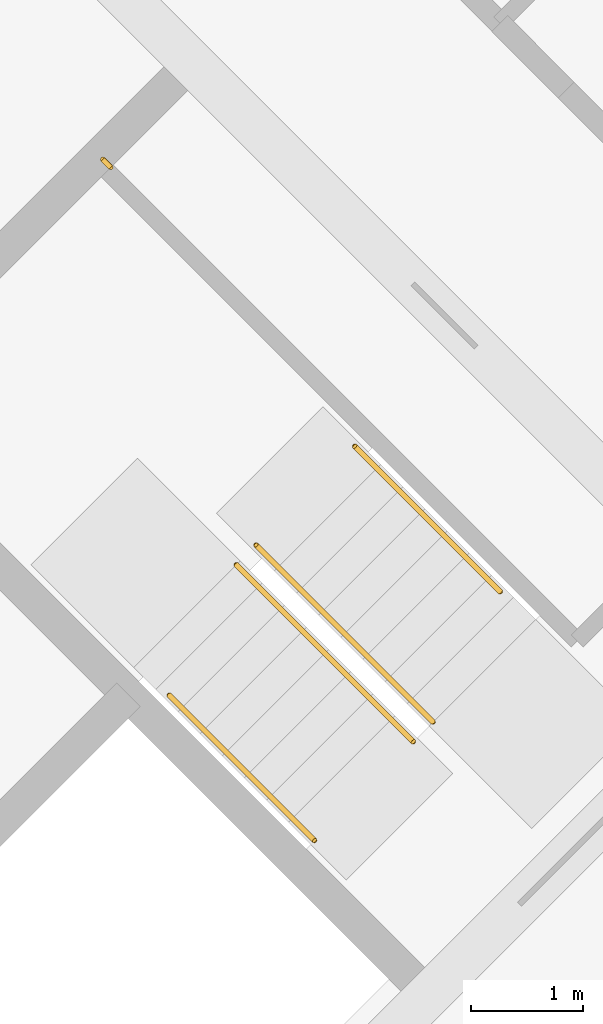
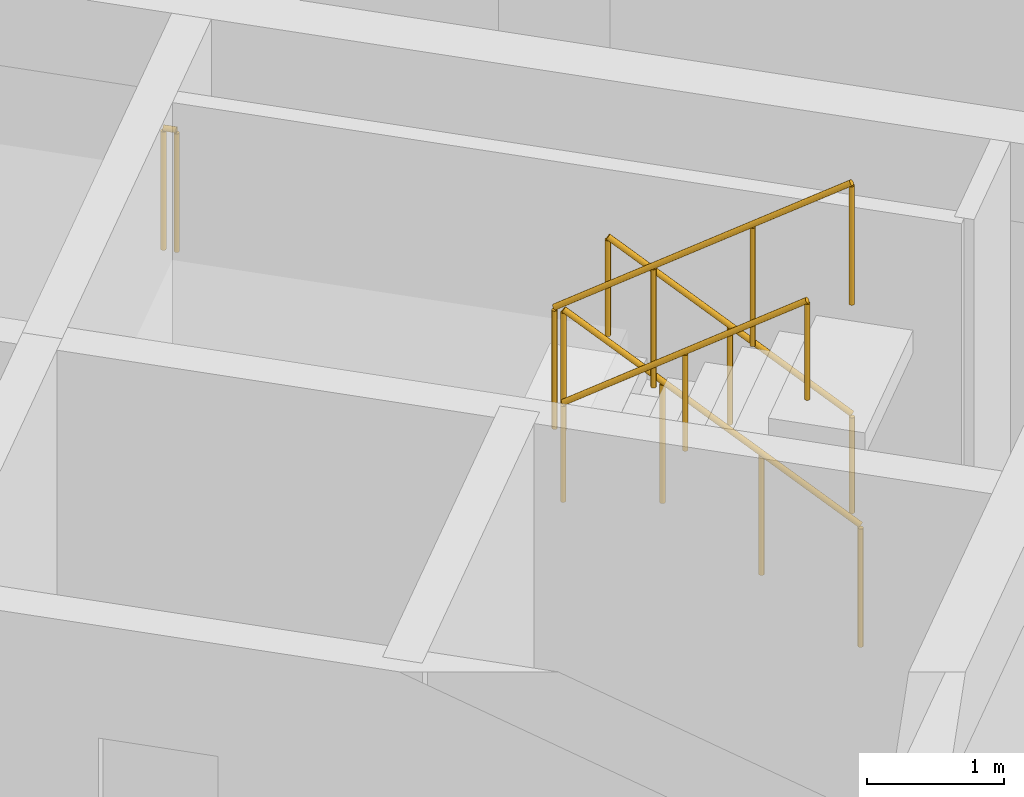
# One storey, part 11 of 11: 5 railings.
"""IFC4 building model written with IfcOpenShell, lengths in metres."""

from ifc_helpers import new_model, si_unit, direction, frame, origin, origin_2d, place, context, subcontext, project, spatial, circle, extrude, material, type_object, element, save


model = new_model("IFC4")

# Units and contexts
model_context = context("Model", 3, precision=1e-05, world=origin(), true_north=direction((0.0, 1.0)))
body_context = subcontext(model_context, "Body", "Model", "MODEL_VIEW")
ifc_project = project(units=[si_unit("LENGTHUNIT", "METRE"), si_unit("AREAUNIT", "SQUARE_METRE"), si_unit("VOLUMEUNIT", "CUBIC_METRE"), si_unit("PLANEANGLEUNIT", "RADIAN"), si_unit("MASSUNIT", "GRAM", prefix="KILO")], contexts=[model_context])

# Site, building, storey
site_placement = place(None, origin())
site = spatial("IfcSite", under=ifc_project, at=site_placement, CompositionType="ELEMENT")
building_placement = place(site_placement, origin())
building = spatial("IfcBuilding", under=site, at=building_placement, Name="Windrow Commons", CompositionType="ELEMENT")
storey_placement = place(building_placement, frame((0.0, 0.0, 271.0)))
storey = spatial("IfcBuildingStorey", under=building, at=storey_placement, Name="L74", CompositionType="ELEMENT", Elevation=271.0)

# Railings
ifc_material_1 = material(Name="Steel S355", Category="steel")
railing_type_1 = type_object("IfcRailingType", Name="Core stair guard 1100", PredefinedType="GUARDRAIL", material=ifc_material_1)
railing_1_placement = place(storey_placement, frame((94.2296, 48.4215, 0.1889)))
element("IfcRailing", 1, at=railing_1_placement, inside=storey, type_object=railing_type_1, Name="L74 ST-B2 stair guard 1", PredefinedType="GUARDRAIL", context=body_context, shape_type="SweptSolid", body=[
    extrude(circle(Radius=0.024, at=origin_2d()), frame((0.0, 0.0, 1.076), z_axis=(-0.5862157828, 0.5861787742, 0.5592365337), x_axis=(-0.7070844598, -0.7071291018, 0.0)), (0.0, 0.0, 1.0), 2.7021),
    extrude(circle(Radius=0.021, at=origin_2d()), origin(), (0.0, 0.0, 1.0), 1.052),
    extrude(circle(Radius=0.021, at=origin_2d()), frame((-0.528, 0.528, 0.5037)), (0.0, 0.0, 1.0), 1.052),
    extrude(circle(Radius=0.021, at=origin_2d()), frame((-1.056, 1.0559, 1.0074)), (0.0, 0.0, 1.0), 1.052),
    extrude(circle(Radius=0.021, at=origin_2d()), frame((-1.584, 1.5839, 1.5111)), (0.0, 0.0, 1.0), 1.052),
])
railing_2_placement = place(storey_placement, frame((92.4689, 49.8287, 1.8889)))
element("IfcRailing", 2, at=railing_2_placement, inside=storey, type_object=railing_type_1, Name="L74 ST-B2 stair guard 2", PredefinedType="GUARDRAIL", context=body_context, shape_type="SweptSolid", body=[
    extrude(circle(Radius=0.024, at=origin_2d()), frame((0.0, 0.0, 1.076), z_axis=(0.5861787742, -0.5862157828, 0.5592365337), x_axis=(0.7071291018, 0.7070844598, 0.0)), (0.0, 0.0, 1.0), 2.7021),
    extrude(circle(Radius=0.021, at=origin_2d()), origin(), (0.0, 0.0, 1.0), 1.052),
    extrude(circle(Radius=0.021, at=origin_2d()), frame((0.528, -0.528, 0.5037)), (0.0, 0.0, 1.0), 1.052),
    extrude(circle(Radius=0.021, at=origin_2d()), frame((1.0559, -1.056, 1.0074)), (0.0, 0.0, 1.0), 1.052),
    extrude(circle(Radius=0.021, at=origin_2d()), frame((1.5839, -1.584, 1.5111)), (0.0, 0.0, 1.0), 1.052),
])
railing_3_placement = place(storey_placement, frame((91.3446, 53.3854, 1.7)))
element("IfcRailing", 3, at=railing_3_placement, inside=storey, type_object=railing_type_1, Name="L74 ST-B2 stair guard 3", PredefinedType="GUARDRAIL", context=body_context, shape_type="SweptSolid", body=[
    extrude(circle(Radius=0.024, at=origin_2d()), frame((0.0, 0.0, 1.076), z_axis=(-0.7076063266, 0.7066068826, 0.0), x_axis=(-0.7066068826, -0.7076063266, 0.0)), (0.0, 0.0, 1.0), 0.1001),
    extrude(circle(Radius=0.021, at=origin_2d()), origin(), (0.0, 0.0, 1.0), 1.052),
    extrude(circle(Radius=0.021, at=origin_2d()), frame((-0.0708, 0.0707, 0.0)), (0.0, 0.0, 1.0), 1.052),
])
ifc_material_2 = material(Name="Steel S355", Category="steel")
railing_type_2 = type_object("IfcRailingType", Name="Core stair handrail 900", PredefinedType="HANDRAIL", material=ifc_material_2)
railing_4_placement = place(storey_placement, frame((94.8306, 49.5883, 0.4587)))
element("IfcRailing", 4, at=railing_4_placement, inside=storey, type_object=railing_type_2, Name="L74 ST-B2 stair handrail 1", PredefinedType="HANDRAIL", context=body_context, shape_type="SweptSolid", body=[
    extrude(circle(Radius=0.024, at=origin_2d()), frame((0.0, 0.0, 0.876), z_axis=(-0.586206706, 0.5861616513, 0.5592639952), x_axis=(-0.7070796062, -0.7071339551, 0.0)), (0.0, 0.0, 1.0), 2.2195),
    extrude(circle(Radius=0.021, at=origin_2d()), origin(), (0.0, 0.0, 1.0), 0.852),
    extrude(circle(Radius=0.021, at=origin_2d()), frame((-0.6506, 0.6505, 0.6206)), (0.0, 0.0, 1.0), 0.852),
    extrude(circle(Radius=0.021, at=origin_2d()), frame((-1.3011, 1.301, 1.2413)), (0.0, 0.0, 1.0), 0.852),
])
railing_5_placement = place(storey_placement, frame((91.8678, 48.6619, 2.1587)))
element("IfcRailing", 5, at=railing_5_placement, inside=storey, type_object=railing_type_2, Name="L74 ST-B2 stair handrail 2", PredefinedType="HANDRAIL", context=body_context, shape_type="SweptSolid", body=[
    extrude(circle(Radius=0.024, at=origin_2d()), frame((0.0, 0.0, 0.876), z_axis=(0.586206706, -0.5861616513, 0.5592639952), x_axis=(0.7070796062, 0.7071339551, 0.0)), (0.0, 0.0, 1.0), 2.2195),
    extrude(circle(Radius=0.021, at=origin_2d()), origin(), (0.0, 0.0, 1.0), 0.852),
    extrude(circle(Radius=0.021, at=origin_2d()), frame((0.6505, -0.6505, 0.6206)), (0.0, 0.0, 1.0), 0.852),
    extrude(circle(Radius=0.021, at=origin_2d()), frame((1.3011, -1.301, 1.2413)), (0.0, 0.0, 1.0), 0.852),
])

save(model, "model.ifc")
